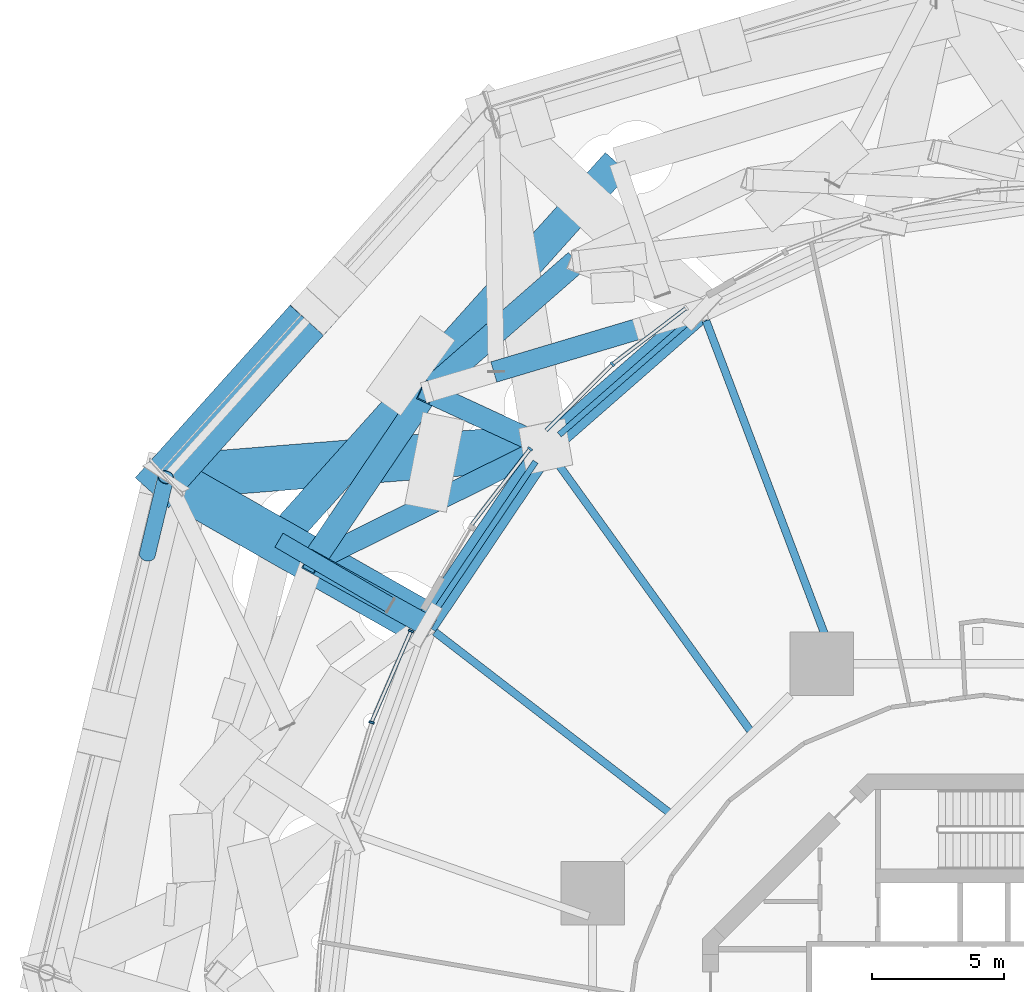
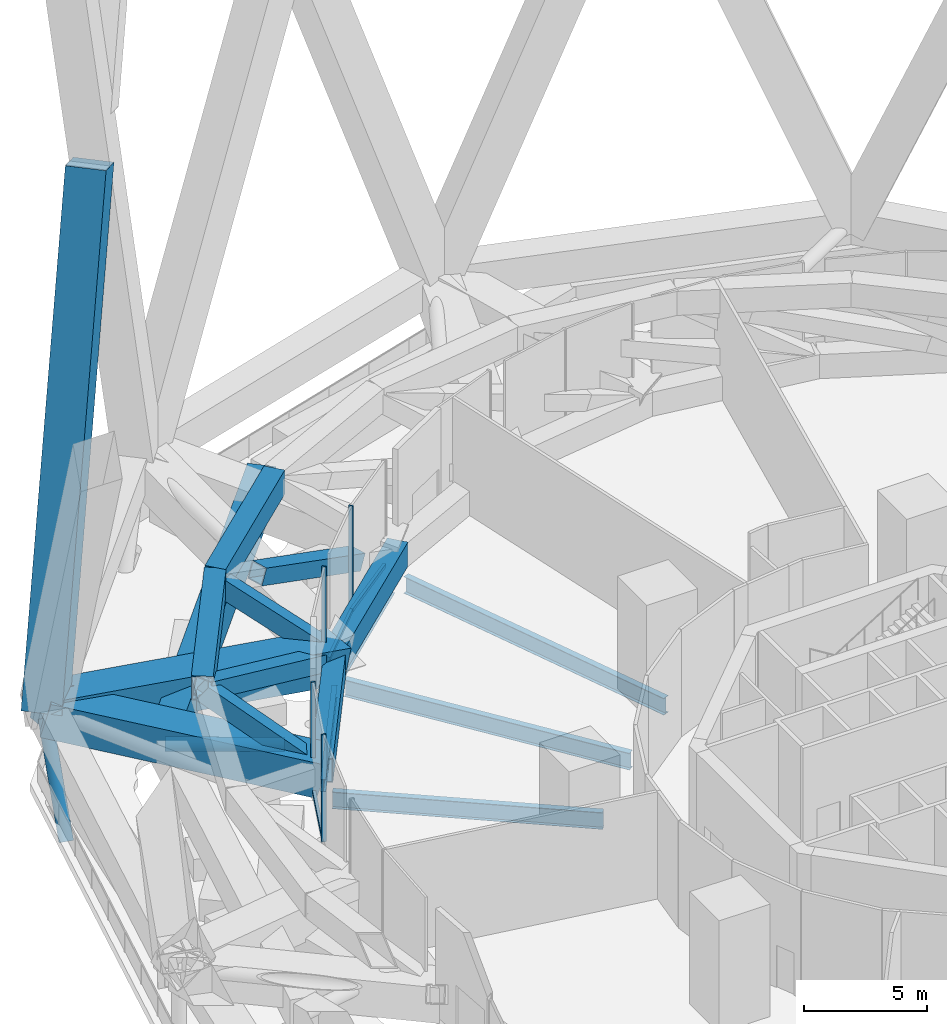
# One storey, part 19 of 51: 14 members, 13 beams, 5 elements without a shape of their own.
"""IFC4 building model written with IfcOpenShell, lengths in metres."""

from ifc_helpers import new_model, si_unit, direction, frame, origin, origin_2d, place, context, subcontext, project, spatial, rectangle, hollow_rectangle, hollow_circle, i_section, extrude, material, layer, layer_set, material_profile, profile_set, type_object, element, aggregate, save


model = new_model("IFC4")

# Units and contexts
model_context = context("Model", 3, precision=1e-05, world=origin(), true_north=direction((0.0, 1.0)))
body_context = subcontext(model_context, "Body", "Model", "MODEL_VIEW")
ifc_project = project(units=[si_unit("LENGTHUNIT", "METRE"), si_unit("AREAUNIT", "SQUARE_METRE"), si_unit("VOLUMEUNIT", "CUBIC_METRE"), si_unit("PLANEANGLEUNIT", "RADIAN"), si_unit("MASSUNIT", "GRAM", prefix="KILO")], contexts=[model_context])

# Site, building, storey
site_placement = place(None, origin())
site = spatial("IfcSite", under=ifc_project, at=site_placement, CompositionType="ELEMENT")
building_placement = place(site_placement, origin())
building = spatial("IfcBuilding", under=site, at=building_placement, Name="Nagisa Residences", CompositionType="ELEMENT")
storey_placement = place(building_placement, frame((0.0, 0.0, 67.699951171875)))
storey = spatial("IfcBuildingStorey", under=building, at=storey_placement, Name="L16", CompositionType="ELEMENT", Elevation=67.699951171875)

# Beams
ifc_material_1 = material(Name="Steel ASTM A572 Gr 50", Category="steel")
ifc_material_profile_1 = material_profile(ifc_material_1, hollow_rectangle(XDim=0.89990234375, YDim=1.199951171875, WallThickness=0.050048828125, at=origin_2d()), Name="BX 900x1200x50")
ifc_profile_set_1 = profile_set([ifc_material_profile_1], Name="Steel ASTM A572 Gr 50")
beam_type_1 = type_object("IfcBeamType", Name="Belt chord 1 BX 900x1200x50", PredefinedType="BEAM", material=ifc_profile_set_1)
beam_1_placement = place(storey_placement, frame((-10.64990234375, 28.145751953125, 0.60009765625), z_axis=(-0.752574766438, -0.658506811598, 0.0), x_axis=(0.658506811598, -0.752574766438, 0.0)))
element("IfcBeam", 1, at=beam_1_placement, inside=storey, type_object=beam_type_1, Name="beam:L16:bt1b09", PredefinedType="BEAM", context=body_context, shape_type="SweptSolid", body=[
    extrude(hollow_rectangle(XDim=0.89990234375, YDim=1.199951171875, WallThickness=0.050048828125, at=origin_2d()), origin(), (0.0, 0.0, 1.0), 7.84326171875),
])
beam_2_placement = place(storey_placement, frame((-15.3974609375, 29.9775390625, 4.739990234375), z_axis=(-0.752532238076, -0.658555411986, 0.0), x_axis=(0.658555411986, -0.752532238076, 0.0)))
element("IfcBeam", 2, at=beam_2_placement, inside=storey, type_object=beam_type_1, Name="beam:L16:bt1t09", PredefinedType="BEAM", context=body_context, shape_type="SweptSolid", body=[
    extrude(hollow_rectangle(XDim=0.89990234375, YDim=1.199951171875, WallThickness=0.050048828125, at=origin_2d()), origin(), (0.0, 0.0, 1.0), 7.484375),
])
beam_3_placement = place(storey_placement, frame((-16.552490234375, 22.98095703125, 0.60009765625), z_axis=(-0.558278389418, -0.829653686732, 0.0), x_axis=(0.829653686732, -0.558278389418, 0.0)))
element("IfcBeam", 3, at=beam_3_placement, inside=storey, type_object=beam_type_1, Name="beam:L16:bt1b10", PredefinedType="BEAM", context=body_context, shape_type="SweptSolid", body=[
    extrude(hollow_rectangle(XDim=0.89990234375, YDim=1.199951171875, WallThickness=0.050048828125, at=origin_2d()), origin(), (0.0, 0.0, 1.0), 8.113037109375),
])
beam_4_placement = place(storey_placement, frame((-21.02978515625, 25.048583984375, 4.739990234375), z_axis=(-0.558231952624, -0.829684932411, 0.0), x_axis=(0.829684932411, -0.558231952624, 0.0)))
element("IfcBeam", 4, at=beam_4_placement, inside=storey, type_object=beam_type_1, Name="beam:L16:bt1t10", PredefinedType="BEAM", context=body_context, shape_type="SweptSolid", body=[
    extrude(hollow_rectangle(XDim=0.89990234375, YDim=1.199951171875, WallThickness=0.050048828125, at=origin_2d()), origin(), (0.0, 0.0, 1.0), 7.741943359375),
])
ifc_material_2 = material(Name="Steel ASTM A572 Gr 50", Category="steel")
ifc_material_profile_2 = material_profile(ifc_material_2, hollow_rectangle(XDim=0.800048828125, YDim=0.800048828125, WallThickness=0.044921875, at=origin_2d()), Name="BX 800x800x45")
ifc_profile_set_2 = profile_set([ifc_material_profile_2], Name="Steel ASTM A572 Gr 50")
beam_type_2 = type_object("IfcBeamType", Name="Belt diagonal 1 BX 800x800x45", PredefinedType="BEAM", material=ifc_profile_set_2)
beam_5_placement = place(storey_placement, frame((-13.03173828125, 27.43505859375, 1.550048828125), z_axis=(-0.895104637134, -0.26708390842, 0.357006826887), x_axis=(0.285925919043, -0.958251725185, 0.0)))
element("IfcBeam", 5, at=beam_5_placement, inside=storey, type_object=beam_type_2, Name="beam:L16:bt1db09", PredefinedType="BEAM", context=body_context, shape_type="SweptSolid", body=[
    extrude(hollow_rectangle(XDim=0.800048828125, YDim=0.800048828125, WallThickness=0.044921875, at=origin_2d()), origin(), (0.0, 0.0, 1.0), 6.2744140625),
])
beam_6_placement = place(storey_placement, frame((-16.552490234375, 22.98095703125, 0.60009765625), z_axis=(-0.695346470907, 0.321112888495, 0.642946186115), x_axis=(-0.419255945136, -0.907868080983, 0.0)))
element("IfcBeam", 6, at=beam_6_placement, inside=storey, type_object=beam_type_2, Name="beam:L16:bt1da10", PredefinedType="BEAM", context=body_context, shape_type="SweptSolid", body=[
    extrude(hollow_rectangle(XDim=0.800048828125, YDim=0.800048828125, WallThickness=0.044921875, at=origin_2d()), origin(), (0.0, 0.0, 1.0), 6.43896484375),
])
beam_7_placement = place(storey_placement, frame((-16.552490234375, 22.98095703125, 0.60009765625), z_axis=(-0.825795920008, -0.408785133844, 0.38853032423), x_axis=(0.443639234319, -0.896205461807, 0.0)))
element("IfcBeam", 7, at=beam_7_placement, inside=storey, type_object=beam_type_2, Name="beam:L16:bt1db10", PredefinedType="BEAM", context=body_context, shape_type="SweptSolid", body=[
    extrude(hollow_rectangle(XDim=0.800048828125, YDim=0.800048828125, WallThickness=0.044921875, at=origin_2d()), origin(), (0.0, 0.0, 1.0), 10.6552734375),
])
beam_8_placement = place(storey_placement, frame((-21.081787109375, 16.25, 0.60009765625), z_axis=(-0.666733571994, 0.370898903421, 0.646452123066), x_axis=(-0.486134988148, -0.873883729851, 0.0)))
element("IfcBeam", 8, at=beam_8_placement, inside=storey, type_object=beam_type_2, Name="beam:L16:bt1da11", PredefinedType="BEAM", context=body_context, shape_type="SweptSolid", body=[
    extrude(hollow_rectangle(XDim=0.800048828125, YDim=0.800048828125, WallThickness=0.044921875, at=origin_2d()), origin(), (0.0, 0.0, 1.0), 6.404052734375),
])

# Curtain wall, member
ifc_material_3 = material(Name="Aluminium curtain wall system", Category="aluminium")
ifc_layer = layer(ifc_material_3, 0.159912109375)
ifc_layer_set = layer_set([ifc_layer], Name="CW2 CURTAIN WALL")
curtain_wall_type = type_object("IfcCurtainWallType", Name="CW2 CURTAIN WALL", PredefinedType="NOTDEFINED", material=ifc_layer_set)
curtain_wall_1_placement = place(storey_placement, origin())
curtain_wall_1 = element("IfcCurtainWall", 9, at=curtain_wall_1_placement, inside=storey, type_object=curtain_wall_type, Name="cw:CW2:L16:17", PredefinedType="NOTDEFINED")
ifc_material_4 = material(Name="Aluminium", Category="aluminium")
ifc_material_profile_3 = material_profile(ifc_material_4, rectangle(XDim=0.199951171875, YDim=0.080078125, at=origin_2d()), Name="CW2 MULLION 200x80")
ifc_profile_set_3 = profile_set([ifc_material_profile_3], Name="Aluminium")
member_type_1 = type_object("IfcMemberType", Name="CW2 MULLION 200x80", PredefinedType="MULLION", material=ifc_profile_set_3)
member_1_placement = place(storey_placement, frame((-14.02587890625, 26.095703125, 0.0), z_axis=(0.0, 0.0, 1.0), x_axis=(0.706376885714, -0.707835924016, 0.0)))
member_1 = element("IfcMember", 10, at=member_1_placement, type_object=member_type_1, Name="CW2 mullion", PredefinedType="MULLION", context=body_context, shape_type="SweptSolid", body=[
    extrude(rectangle(XDim=0.199951171875, YDim=0.080078125, at=origin_2d()), origin(), (0.0, 0.0, 1.0), 5.340087890625),
])

curtain_wall_2_placement = place(storey_placement, origin())
curtain_wall_2 = element("IfcCurtainWall", 11, at=curtain_wall_2_placement, inside=storey, type_object=curtain_wall_type, Name="cw:CW2:L16:18", PredefinedType="NOTDEFINED")
member_2_placement = place(storey_placement, frame((-17.141845703125, 22.8974609375, 0.0), z_axis=(0.0, 0.0, 1.0), x_axis=(0.792070340816, -0.610429828235, 0.0)))
member_2 = element("IfcMember", 12, at=member_2_placement, type_object=member_type_1, Name="CW2 mullion", PredefinedType="MULLION", context=body_context, shape_type="SweptSolid", body=[
    extrude(rectangle(XDim=0.199951171875, YDim=0.080078125, at=origin_2d()), origin(), (0.0, 0.0, 1.0), 5.340087890625),
])

curtain_wall_3_placement = place(storey_placement, origin())
curtain_wall_3 = element("IfcCurtainWall", 13, at=curtain_wall_3_placement, inside=storey, type_object=curtain_wall_type, Name="cw:CW2:L16:20", PredefinedType="NOTDEFINED")
member_3_placement = place(storey_placement, frame((-21.63623046875, 16.0185546875, 0.0), z_axis=(0.0, 0.0, 1.0), x_axis=(0.917543276295, -0.397635934147, 0.0)))
member_3 = element("IfcMember", 14, at=member_3_placement, type_object=member_type_1, Name="CW2 mullion", PredefinedType="MULLION", context=body_context, shape_type="SweptSolid", body=[
    extrude(rectangle(XDim=0.199951171875, YDim=0.080078125, at=origin_2d()), origin(), (0.0, 0.0, 1.0), 5.340087890625),
])

curtain_wall_4_placement = place(storey_placement, origin())
curtain_wall_4 = element("IfcCurtainWall", 15, at=curtain_wall_4_placement, inside=storey, type_object=curtain_wall_type, Name="cw:CW2:L16:21", PredefinedType="NOTDEFINED")
member_4_placement = place(storey_placement, frame((-23.127197265625, 12.5673828125, 0.0), z_axis=(0.0, 0.0, 1.0), x_axis=(0.958271310082, -0.285860274038, 0.0)))
member_4 = element("IfcMember", 16, at=member_4_placement, type_object=member_type_1, Name="CW2 mullion", PredefinedType="MULLION", context=body_context, shape_type="SweptSolid", body=[
    extrude(rectangle(XDim=0.199951171875, YDim=0.080078125, at=origin_2d()), origin(), (0.0, 0.0, 1.0), 5.340087890625),
])
aggregate(curtain_wall_4, [member_4])

curtain_wall_5_placement = place(storey_placement, origin())
curtain_wall_5 = element("IfcCurtainWall", 17, at=curtain_wall_5_placement, inside=storey, type_object=curtain_wall_type, Name="cw:CW2:L16:16", PredefinedType="NOTDEFINED")
ifc_material_5 = material(Name="Aluminium", Category="aluminium")
ifc_material_profile_4 = material_profile(ifc_material_5, rectangle(XDim=0.139892578125, YDim=0.179931640625, at=origin_2d()), Name="CW2 TRANSOM 140x180")
ifc_profile_set_4 = profile_set([ifc_material_profile_4], Name="Aluminium")
member_type_2 = type_object("IfcMemberType", Name="CW2 TRANSOM 140x180", PredefinedType="USERDEFINED", material=ifc_profile_set_4)
member_5_placement = place(storey_placement, frame((-11.209716796875, 28.24267578125, 0.090087890625), z_axis=(-0.79604564538, -0.605236590493, 0.0), x_axis=(0.605236590493, -0.79604564538, 0.0)))
member_5 = element("IfcMember", 18, at=member_5_placement, type_object=member_type_2, Name="CW2 transom", ObjectType="TRANSOM", PredefinedType="USERDEFINED", context=body_context, shape_type="SweptSolid", body=[
    extrude(rectangle(XDim=0.139892578125, YDim=0.179931640625, at=origin_2d()), origin(), (0.0, 0.0, 1.0), 3.51220703125),
])
aggregate(curtain_wall_5, [member_5])

# Member
member_6_placement = place(storey_placement, frame((-13.99755859375, 26.1240234375, 0.090087890625), z_axis=(-0.707822631018, -0.706390205919, 0.0), x_axis=(0.706390205919, -0.707822631018, 0.0)))
member_6 = element("IfcMember", 19, at=member_6_placement, type_object=member_type_2, Name="CW2 transom", ObjectType="TRANSOM", PredefinedType="USERDEFINED", context=body_context, shape_type="SweptSolid", body=[
    extrude(rectangle(XDim=0.139892578125, YDim=0.179931640625, at=origin_2d()), origin(), (0.0, 0.0, 1.0), 3.5791015625),
])

aggregate(curtain_wall_1, [member_1, member_6])

member_7_placement = place(storey_placement, frame((-17.117431640625, 22.92919921875, 0.090087890625), z_axis=(-0.61045449984, -0.792051326383, 0.0), x_axis=(0.792051326383, -0.61045449984, 0.0)))
member_7 = element("IfcMember", 20, at=member_7_placement, type_object=member_type_2, Name="CW2 transom", ObjectType="TRANSOM", PredefinedType="USERDEFINED", context=body_context, shape_type="SweptSolid", body=[
    extrude(rectangle(XDim=0.139892578125, YDim=0.179931640625, at=origin_2d()), origin(), (0.0, 0.0, 1.0), 3.6474609375),
])

aggregate(curtain_wall_2, [member_2, member_7])

member_8_placement = place(storey_placement, frame((-21.620361328125, 16.05517578125, 0.090087890625), z_axis=(-0.397629250024, -0.917546172966, 0.0), x_axis=(0.917546172966, -0.397629250024, 0.0)))
member_8 = element("IfcMember", 21, at=member_8_placement, type_object=member_type_2, Name="CW2 transom", ObjectType="TRANSOM", PredefinedType="USERDEFINED", context=body_context, shape_type="SweptSolid", body=[
    extrude(rectangle(XDim=0.139892578125, YDim=0.179931640625, at=origin_2d()), origin(), (0.0, 0.0, 1.0), 3.769287109375),
])

aggregate(curtain_wall_3, [member_3, member_8])

# Members
ifc_material_6 = material(Name="Concrete C80", Category="concrete")
ifc_material_profile_5 = material_profile(ifc_material_6, rectangle(XDim=1.699951171875, YDim=1.699951171875, at=origin_2d()), Name="C80 1700x1700")
ifc_profile_set_5 = profile_set([ifc_material_profile_5], Name="Concrete C80")
member_type_3 = type_object("IfcMemberType", Name="Cage bracket 2 C80 1700x1700", PredefinedType="BRACE", material=ifc_profile_set_5)
member_9_placement = place(storey_placement, frame((-30.89404296875, 21.8251953125, 3.699951171875), z_axis=(0.838402479291, -0.476369311963, -0.264865175775), x_axis=(0.494012752664, 0.869454656785, 0.0)))
element("IfcMember", 22, at=member_9_placement, inside=storey, type_object=member_type_3, Name="mem:L16:cg1ob05", PredefinedType="BRACE", context=body_context, shape_type="SweptSolid", body=[
    extrude(rectangle(XDim=1.699951171875, YDim=1.699951171875, at=origin_2d()), origin(), (0.0, 0.0, 1.0), 11.70361328125),
])
member_10_placement = place(storey_placement, frame((-30.89404296875, 21.8251953125, 3.699951171875), z_axis=(0.974410318971, 0.078526095875, -0.210613823264), x_axis=(-0.08032790365, 0.996768492628, 0.0)))
element("IfcMember", 23, at=member_10_placement, inside=storey, type_object=member_type_3, Name="mem:L16:cg1ob06", PredefinedType="BRACE", context=body_context, shape_type="SweptSolid", body=[
    extrude(rectangle(XDim=1.699951171875, YDim=1.699951171875, at=origin_2d()), origin(), (0.0, 0.0, 1.0), 14.71826171875),
])
ifc_material_7 = material(Name="Concrete C80", Category="concrete")
ifc_material_profile_6 = material_profile(ifc_material_7, rectangle(XDim=1.699951171875, YDim=1.699951171875, at=origin_2d()), Name="C80 1700x1700")
ifc_profile_set_6 = profile_set([ifc_material_profile_6], Name="Concrete C80")
member_type_4 = type_object("IfcMemberType", Name="Cage diagonal 2 C80 1700x1700", PredefinedType="BRACE", material=ifc_profile_set_6)
member_11_placement = place(storey_placement, frame((-30.89404296875, 21.8251953125, 3.699951171875), z_axis=(0.255341123759, 0.284388909147, 0.924080006748), x_axis=(-0.744085791331, 0.668084077897, 0.0)))
element("IfcMember", 24, at=member_11_placement, inside=storey, type_object=member_type_4, Name="mem:L16:cg2d010a", PredefinedType="BRACE", context=body_context, shape_type="SweptSolid", body=[
    extrude(rectangle(XDim=1.699951171875, YDim=1.699951171875, at=origin_2d()), origin(), (0.0, 0.0, 1.0), 22.894775390625),
])
ifc_material_8 = material(Name="Concrete C80", Category="concrete")
ifc_material_profile_7 = material_profile(ifc_material_8, rectangle(XDim=1.199951171875, YDim=1.60009765625, at=origin_2d()), Name="C80 1200x1600")
ifc_profile_set_7 = profile_set([ifc_material_profile_7], Name="Concrete C80")
member_type_5 = type_object("IfcMemberType", Name="Cage ring 1 C80 1200x1600", PredefinedType="CHORD", material=ifc_profile_set_7)
member_12_placement = place(storey_placement, frame((-13.85009765625, 33.6884765625, 1.900146484375), z_axis=(-0.66779408663, -0.744346060554, 0.0), x_axis=(0.744346060554, -0.66779408663, 0.0)))
element("IfcMember", 25, at=member_12_placement, inside=storey, type_object=member_type_5, Name="beam:L16:cg1r205", PredefinedType="CHORD", context=body_context, shape_type="SweptSolid", body=[
    extrude(rectangle(XDim=1.199951171875, YDim=1.60009765625, at=origin_2d()), origin(), (0.0, 0.0, 1.0), 19.12890625),
])
ifc_material_9 = material(Name="Steel ASTM A572 Gr 65", Category="steel")
ifc_material_profile_8 = material_profile(ifc_material_9, hollow_circle(Radius=0.304931640625, WallThickness=0.02490234375, at=origin_2d()), Name="CHS 610x25")
ifc_profile_set_8 = profile_set([ifc_material_profile_8], Name="Steel ASTM A572 Gr 65")
member_type_6 = type_object("IfcMemberType", Name="Cage strut CHS 610x25", PredefinedType="STRUT", material=ifc_profile_set_8)
member_13_placement = place(storey_placement, frame((-26.624267578125, 19.449951171875, 1.900146484375), z_axis=(0.863498519516, -0.504351372352, 0.0), x_axis=(0.504351372352, 0.863498519516, 0.0)))
element("IfcMember", 26, at=member_13_placement, inside=storey, type_object=member_type_6, Name="mem:L16:bt1st1a06", PredefinedType="STRUT", context=body_context, shape_type="SweptSolid", body=[
    extrude(hollow_circle(Radius=0.304931640625, WallThickness=0.02490234375, at=origin_2d()), origin(), (0.0, 0.0, 1.0), 4.865966796875),
])

# Beams
ifc_material_10 = material(Name="Steel ASTM A572 Gr 50", Category="steel")
ifc_material_profile_9 = material_profile(ifc_material_10, i_section(OverallWidth=0.22900390625, OverallDepth=0.612060546875, WebThickness=0.011962890625, FlangeThickness=0.01953125, at=origin_2d()), Name="W610x125")
ifc_profile_set_9 = profile_set([ifc_material_profile_9], Name="Steel ASTM A572 Gr 50")
beam_type_3 = type_object("IfcBeamType", Name="Perimeter ring beam W610x125", PredefinedType="BEAM", material=ifc_profile_set_9)
beam_9_placement = place(storey_placement, frame((-11.166748046875, 27.693603515625, -0.656005859375), z_axis=(-0.752574357292, -0.658507279191, 0.0), x_axis=(0.658507279191, -0.752574357292, 0.0)))
element("IfcBeam", 27, at=beam_9_placement, inside=storey, type_object=beam_type_3, Name="beam:L16:pb09", PredefinedType="BEAM", context=body_context, shape_type="SweptSolid", body=[
    extrude(i_section(OverallWidth=0.22900390625, OverallDepth=0.612060546875, WebThickness=0.011962890625, FlangeThickness=0.01953125, at=origin_2d()), origin(), (0.0, 0.0, 1.0), 6.47021484375),
])
beam_10_placement = place(storey_placement, frame((-16.935302734375, 22.411865234375, -0.656005859375), z_axis=(-0.558296806041, -0.829641293792, 0.0), x_axis=(0.829641293792, -0.558296806041, 0.0)))
element("IfcBeam", 28, at=beam_10_placement, inside=storey, type_object=beam_type_3, Name="beam:L16:pb10", PredefinedType="BEAM", context=body_context, shape_type="SweptSolid", body=[
    extrude(i_section(OverallWidth=0.22900390625, OverallDepth=0.612060546875, WebThickness=0.011962890625, FlangeThickness=0.01953125, at=origin_2d()), origin(), (0.0, 0.0, 1.0), 6.74169921875),
])
ifc_material_11 = material(Name="Steel ASTM A572 Gr 50", Category="steel")
ifc_material_profile_10 = material_profile(ifc_material_11, i_section(OverallWidth=0.2919921875, OverallDepth=0.8349609375, WebThickness=0.013916015625, FlangeThickness=0.018798828125, at=origin_2d()), Name="W840x176")
ifc_profile_set_10 = profile_set([ifc_material_profile_10], Name="Steel ASTM A572 Gr 50")
beam_type_4 = type_object("IfcBeamType", Name="Radial beam W840x176", PredefinedType="BEAM", material=ifc_profile_set_10)
beam_11_placement = place(storey_placement, frame((-10.493896484375, 27.7333984375, -0.767333984375), z_axis=(0.353892097416, -0.935286257456, 0.0), x_axis=(0.935286257456, 0.353892097416, 0.0)))
element("IfcBeam", 29, at=beam_11_placement, inside=storey, type_object=beam_type_4, Name="beam:L16:rb09", PredefinedType="BEAM", context=body_context, shape_type="SweptSolid", body=[
    extrude(i_section(OverallWidth=0.2919921875, OverallDepth=0.8349609375, WebThickness=0.013916015625, FlangeThickness=0.018798828125, at=origin_2d()), origin(), (0.0, 0.0, 1.0), 13.705078125),
])
beam_12_placement = place(storey_placement, frame((-16.29443359375, 22.62255859375, -0.767333984375), z_axis=(0.584461855751, -0.811421184819, 0.0), x_axis=(0.811421184819, 0.584461855751, 0.0)))
element("IfcBeam", 30, at=beam_12_placement, inside=storey, type_object=beam_type_4, Name="beam:L16:rb10", PredefinedType="BEAM", context=body_context, shape_type="SweptSolid", body=[
    extrude(i_section(OverallWidth=0.2919921875, OverallDepth=0.8349609375, WebThickness=0.013916015625, FlangeThickness=0.018798828125, at=origin_2d()), origin(), (0.0, 0.0, 1.0), 12.769775390625),
])
beam_13_placement = place(storey_placement, frame((-20.73486328125, 15.982666015625, -0.767333984375), z_axis=(0.792012625374, -0.610504710259, 0.0), x_axis=(0.610504710259, 0.792012625374, 0.0)))
element("IfcBeam", 31, at=beam_13_placement, inside=storey, type_object=beam_type_4, Name="beam:L16:rb11", PredefinedType="BEAM", context=body_context, shape_type="SweptSolid", body=[
    extrude(i_section(OverallWidth=0.2919921875, OverallDepth=0.8349609375, WebThickness=0.013916015625, FlangeThickness=0.018798828125, at=origin_2d()), origin(), (0.0, 0.0, 1.0), 11.14111328125),
])

# Member
ifc_material_12 = material(Name="Steel ASTM A572 Gr 65", Category="steel")
ifc_material_profile_11 = material_profile(ifc_material_12, hollow_circle(Radius=0.304931640625, WallThickness=0.02490234375, at=origin_2d()), Name="CHS 610x25")
ifc_profile_set_11 = profile_set([ifc_material_profile_11], Name="Steel ASTM A572 Gr 65")
member_type_7 = type_object("IfcMemberType", Name="Raked deck hanger CHS 610x25", PredefinedType="BRACE", material=ifc_profile_set_11)
member_14_placement = place(storey_placement, frame((-30.89404296875, 21.8251953125, 3.25), z_axis=(-0.137288791909, -0.570500590239, -0.809741232835), x_axis=(0.972244551974, -0.233966944582, 0.0)))
element("IfcMember", 32, at=member_14_placement, inside=storey, type_object=member_type_7, Name="mem:L16:deckhanger05", PredefinedType="BRACE", context=body_context, shape_type="SweptSolid", body=[
    extrude(hollow_circle(Radius=0.304931640625, WallThickness=0.02490234375, at=origin_2d()), origin(), (0.0, 0.0, 1.0), 5.112548828125),
])

save(model, "model.ifc")
